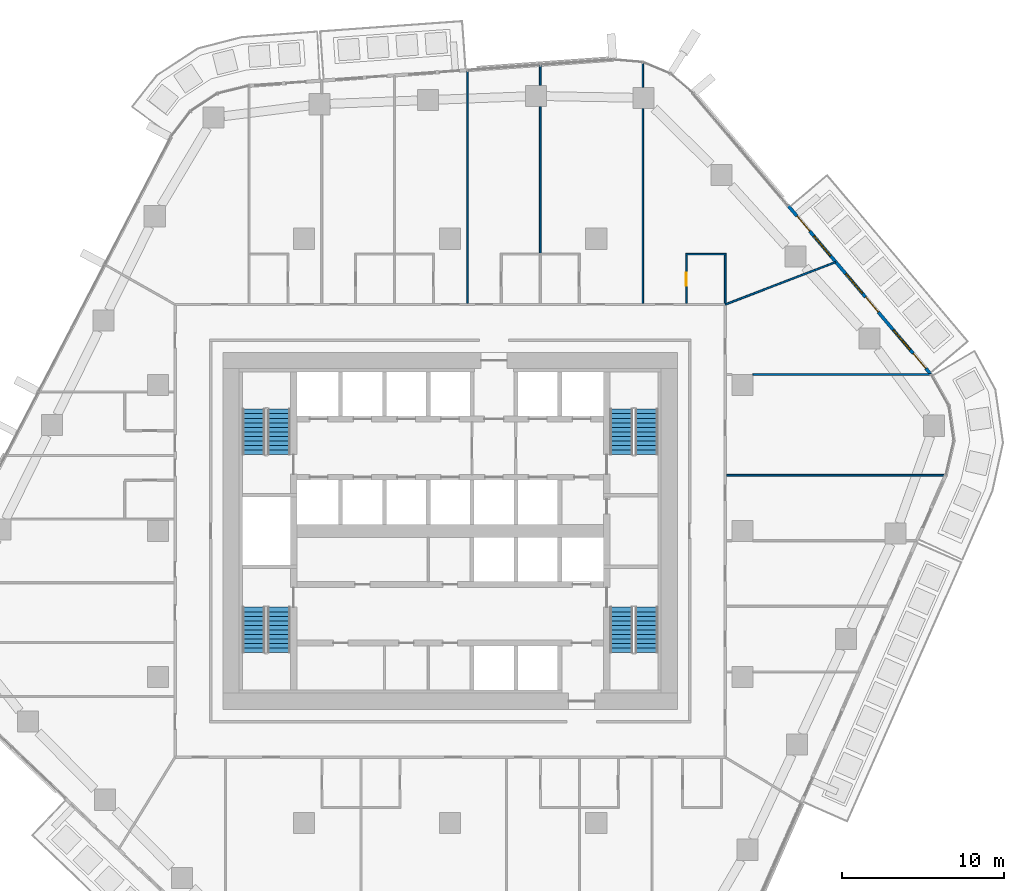
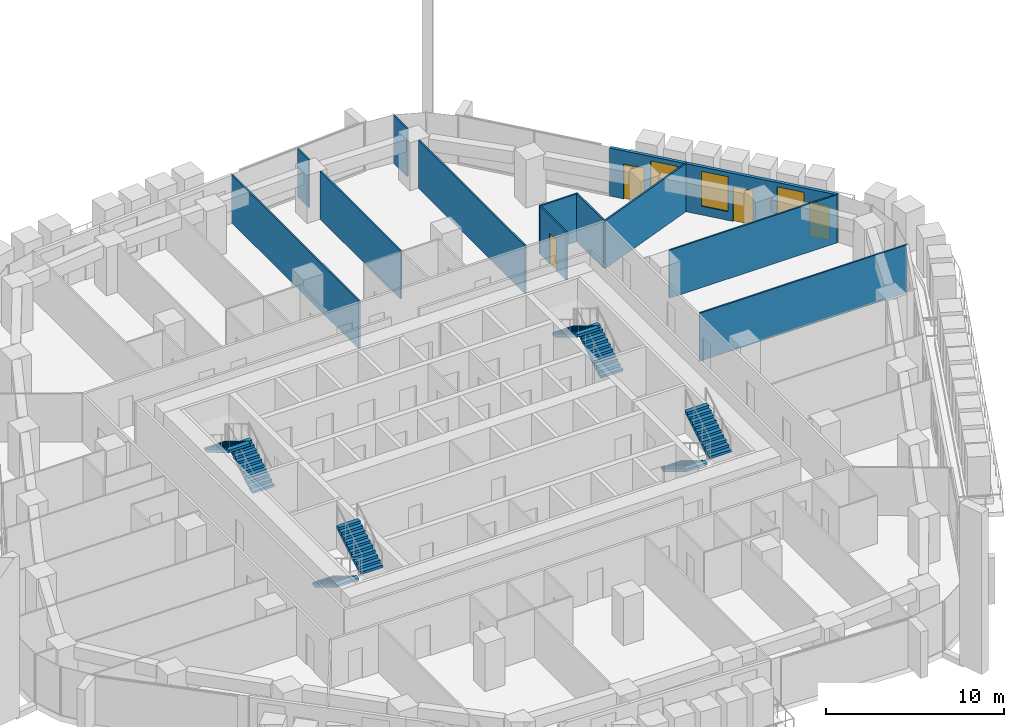
# One storey, part 17 of 24: 12 walls, 8 stair flights, 4 doors, 3 windows, 7 openings, 4 elements without a shape of their own.
"""IFC4 building model written with IfcOpenShell, lengths in metres."""

from ifc_helpers import new_model, si_unit, direction, frame, frame_2d, origin, place, context, subcontext, project, spatial, polyline, rectangle, outline, extrude, material, layer, layer_set, type_object, element, fill, aggregate, save


model = new_model("IFC4")

# Units and contexts
model_context = context("Model", 3, precision=1e-05, world=origin(), true_north=direction((0.0, 1.0)))
body_context = subcontext(model_context, "Body", "Model", "MODEL_VIEW")
ifc_project = project(units=[si_unit("LENGTHUNIT", "METRE"), si_unit("AREAUNIT", "SQUARE_METRE"), si_unit("VOLUMEUNIT", "CUBIC_METRE"), si_unit("PLANEANGLEUNIT", "RADIAN"), si_unit("MASSUNIT", "GRAM", prefix="KILO")], contexts=[model_context])

# Site, building, storey
site_placement = place(None, origin())
site = spatial("IfcSite", under=ifc_project, at=site_placement, CompositionType="ELEMENT")
building_placement = place(site_placement, origin())
building = spatial("IfcBuilding", under=site, at=building_placement, Name="Dongbaek Canopy Tower", CompositionType="ELEMENT")
storey_placement = place(building_placement, frame((0.0, 0.0, 106.300048828125)))
storey = spatial("IfcBuildingStorey", under=building, at=storey_placement, Name="L22", CompositionType="ELEMENT", Elevation=106.300048828125)

# Walls
ifc_material_1 = material(Name="Gypsum board partition, steel stud, 2 x 12.5 mm board", Category="steel")
ifc_layer_1 = layer(ifc_material_1, 0.10009765625)
ifc_layer_set_1 = layer_set([ifc_layer_1], Name="Partition 100 gypsum board")
wall_type_1 = type_object("IfcWallType", Name="Partition 100 gypsum board", PredefinedType="PARTITIONING", material=ifc_layer_set_1)
wall_1_placement = place(storey_placement, frame((17.02490234375, 3.428955078125, 0.0), z_axis=(0.0, 0.0, 1.0), x_axis=(1.0, 0.0, 0.0)))
element("IfcWall", 1, at=wall_1_placement, inside=storey, type_object=wall_type_1, Name="Partition", PredefinedType="PARTITIONING", context=body_context, shape_type="SweptSolid", body=[
    extrude(rectangle(XDim=13.477294921875, YDim=0.10009765625, at=frame_2d((6.73876953125, 0.0))), origin(), (0.0, 0.0, 1.0), 3.300048828125),
])
wall_2_placement = place(storey_placement, frame((18.64990234375, 9.635986328125, 0.0), z_axis=(0.0, 0.0, 1.0), x_axis=(1.0, 0.0, 0.0)))
element("IfcWall", 2, at=wall_2_placement, inside=storey, type_object=wall_type_1, Name="Partition", PredefinedType="PARTITIONING", context=body_context, shape_type="SweptSolid", body=[
    extrude(rectangle(XDim=10.9501953125, YDim=0.10009765625, at=frame_2d((5.47509765625, 0.0))), origin(), (0.0, 0.0, 1.0), 3.300048828125),
])
wall_3_placement = place(storey_placement, frame((14.5, 17.050048828125, 0.0), z_axis=(0.0, 0.0, 1.0), x_axis=(1.0, 0.0, 0.0)))
element("IfcWall", 3, at=wall_3_placement, inside=storey, type_object=wall_type_1, Name="Partition", PredefinedType="PARTITIONING", context=body_context, shape_type="SweptSolid", body=[
    extrude(rectangle(XDim=2.5, YDim=0.10009765625, at=frame_2d((1.25, 0.0))), origin(), (0.0, 0.0, 1.0), 3.300048828125),
])
wall_4_placement = place(storey_placement, frame((16.949951171875, 13.9501953125, 0.0), z_axis=(0.0, 0.0, 1.0), x_axis=(0.933635037811, 0.358225649796, 0.0)))
element("IfcWall", 4, at=wall_4_placement, inside=storey, type_object=wall_type_1, Name="Partition", PredefinedType="PARTITIONING", context=body_context, shape_type="SweptSolid", body=[
    extrude(rectangle(XDim=7.275390625, YDim=0.10009765625, at=frame_2d((3.6376953125, 0.0))), origin(), (0.0, 0.0, 1.0), 3.300048828125),
])
wall_5_placement = place(storey_placement, frame((16.949951171875, 14.02490234375, 0.0), z_axis=(0.0, 0.0, 1.0), x_axis=(0.0, 1.0, 0.0)))
element("IfcWall", 5, at=wall_5_placement, inside=storey, type_object=wall_type_1, Name="Partition", PredefinedType="PARTITIONING", context=body_context, shape_type="SweptSolid", body=[
    extrude(rectangle(XDim=2.97509765625, YDim=0.10009765625, at=frame_2d((1.487548828125, 0.0))), origin(), (0.0, 0.0, 1.0), 3.300048828125),
])

# Wall, opening, door
wall_6_placement = place(storey_placement, frame((14.550048828125, 17.0, 0.0), z_axis=(0.0, 0.0, 1.0), x_axis=(0.0, -1.0, 0.0)))
wall_6 = element("IfcWall", 6, at=wall_6_placement, inside=storey, type_object=wall_type_1, Name="Partition", PredefinedType="PARTITIONING", context=body_context, shape_type="SweptSolid", body=[
    extrude(rectangle(XDim=2.97509765625, YDim=0.10009765625, at=frame_2d((1.487548828125, 0.0))), origin(), (0.0, 0.0, 1.0), 3.300048828125),
])
opening_1_placement = place(wall_6_placement, frame((1.10009765625, 0.0, 0.0)))
opening_1 = element("IfcOpeningElement", 7, at=opening_1_placement, cuts=wall_6, Name="Opening L22-D021", PredefinedType="OPENING", context=body_context, shape_type="SweptSolid", body=[
    extrude(rectangle(XDim=0.800048828125, YDim=2.10009765625, at=frame_2d((0.39990234375, 1.050048828125))), frame((0.0, 0.06005859375, 0.0), z_axis=(0.0, -1.0, 0.0), x_axis=(1.0, 0.0, 0.0)), (0.0, 0.0, 1.0), 0.1201171875),
])
ifc_material_2 = material(Name="Timber veneered door leaf", Category="wood")
door_type_1 = type_object("IfcDoorType", Name="En-suite door 800 x 2100", OperationType="SINGLE_SWING_LEFT", PredefinedType="DOOR", material=ifc_material_2)
door_1_placement = place(opening_1_placement, origin())
door_1 = element("IfcDoor", 8, at=door_1_placement, inside=storey, type_object=door_type_1, Name="Door L22-D021", OperationType="SINGLE_SWING_LEFT", OverallHeight=2.10009765625, OverallWidth=0.800048828125, PredefinedType="DOOR", context=body_context, shape_type="SweptSolid", body=[
    extrude(rectangle(XDim=0.800048828125, YDim=2.10009765625, at=frame_2d((0.39990234375, 1.050048828125))), frame((0.0, 0.02490234375, 0.0), z_axis=(0.0, -1.0, 0.0), x_axis=(1.0, 0.0, 0.0)), (0.0, 0.0, 1.0), 0.050048828125),
])
fill(opening_1, door_1)

# Walls
wall_7_placement = place(storey_placement, frame((11.8701171875, 14.02490234375, 0.0), z_axis=(0.0, 0.0, 1.0), x_axis=(0.0, 1.0, 0.0)))
element("IfcWall", 9, at=wall_7_placement, inside=storey, type_object=wall_type_1, Name="Partition", PredefinedType="PARTITIONING", context=body_context, shape_type="SweptSolid", body=[
    extrude(rectangle(XDim=11.9990234375, YDim=0.10009765625, at=frame_2d((5.99951171875, 0.0))), origin(), (0.0, 0.0, 1.0), 3.300048828125),
])
wall_8_placement = place(storey_placement, frame((11.8701171875, 27.323974609375, 0.0), z_axis=(0.0, 0.0, 1.0), x_axis=(0.0, 1.0, 0.0)))
element("IfcWall", 10, at=wall_8_placement, inside=storey, type_object=wall_type_1, Name="Partition", PredefinedType="PARTITIONING", context=body_context, shape_type="SweptSolid", body=[
    extrude(rectangle(XDim=1.53125, YDim=0.10009765625, at=frame_2d((0.765625, 0.0))), origin(), (0.0, 0.0, 1.0), 3.300048828125),
])
wall_9_placement = place(storey_placement, frame((5.549072265625, 17.10009765625, 0.0), z_axis=(0.0, 0.0, 1.0), x_axis=(0.0, 1.0, 0.0)))
element("IfcWall", 11, at=wall_9_placement, inside=storey, type_object=wall_type_1, Name="Partition", PredefinedType="PARTITIONING", context=body_context, shape_type="SweptSolid", body=[
    extrude(rectangle(XDim=9.0478515625, YDim=0.10009765625, at=frame_2d((4.52392578125, 0.0))), origin(), (0.0, 0.0, 1.0), 3.300048828125),
])
wall_10_placement = place(storey_placement, frame((5.549072265625, 27.447998046875, 0.0), z_axis=(0.0, 0.0, 1.0), x_axis=(0.0, 1.0, 0.0)))
element("IfcWall", 12, at=wall_10_placement, inside=storey, type_object=wall_type_1, Name="Partition", PredefinedType="PARTITIONING", context=body_context, shape_type="SweptSolid", body=[
    extrude(rectangle(XDim=1.243408203125, YDim=0.10009765625, at=frame_2d((0.62158203125, 0.0))), origin(), (0.0, 0.0, 1.0), 3.300048828125),
])
wall_11_placement = place(storey_placement, frame((1.06298828125, 14.02490234375, 0.0), z_axis=(0.0, 0.0, 1.0), x_axis=(0.0, 1.0, 0.0)))
element("IfcWall", 13, at=wall_11_placement, inside=storey, type_object=wall_type_1, Name="Partition", PredefinedType="PARTITIONING", context=body_context, shape_type="SweptSolid", body=[
    extrude(rectangle(XDim=14.343994140625, YDim=0.10009765625, at=frame_2d((7.171875, 0.0))), origin(), (0.0, 0.0, 1.0), 3.300048828125),
])

# Wall, openings, doors, windows
ifc_material_3 = material(Name="Aluminium window wall", Category="aluminium")
ifc_layer_2 = layer(ifc_material_3, 0.199951171875)
ifc_layer_set_2 = layer_set([ifc_layer_2], Name="Window wall 200")
wall_type_2 = type_object("IfcWallType", Name="Window wall 200", PredefinedType="SOLIDWALL", material=ifc_layer_set_2)
wall_12_placement = place(storey_placement, frame((29.626220703125, 9.6357421875, 0.0), z_axis=(0.0, 0.0, 1.0), x_axis=(-0.6460547702, 0.763291054514, 0.0)))
wall_12 = element("IfcWall", 14, at=wall_12_placement, inside=storey, type_object=wall_type_2, Name="Window wall L22 1", PredefinedType="SOLIDWALL", context=body_context, shape_type="SweptSolid", body=[
    extrude(rectangle(XDim=13.615234375, YDim=0.199951171875, at=frame_2d((6.8076171875, 0.0))), origin(), (0.0, 0.0, 1.0), 3.300048828125),
])
opening_2_placement = place(wall_12_placement, frame((2.0, 0.0, 0.60009765625)))
opening_2 = element("IfcOpeningElement", 15, at=opening_2_placement, cuts=wall_12, Name="Opening W1", PredefinedType="OPENING", context=body_context, shape_type="SweptSolid", body=[
    extrude(rectangle(XDim=1.60009765625, YDim=2.39990234375, at=frame_2d((0.800048828125, 1.199951171875))), frame((0.0, 0.10986328125, 0.0), z_axis=(0.0, -1.0, 0.0), x_axis=(1.0, 0.0, 0.0)), (0.0, 0.0, 1.0), 0.219970703125),
])
opening_3_placement = place(wall_12_placement, frame((0.5, 0.0, 0.0)))
opening_3 = element("IfcOpeningElement", 16, at=opening_3_placement, cuts=wall_12, Name="Opening L22-B01", PredefinedType="OPENING", context=body_context, shape_type="SweptSolid", body=[
    extrude(rectangle(XDim=1.199951171875, YDim=2.39990234375, at=frame_2d((0.60009765625, 1.199951171875))), frame((0.0, 0.10986328125, 0.0), z_axis=(0.0, -1.0, 0.0), x_axis=(1.0, 0.0, 0.0)), (0.0, 0.0, 1.0), 0.219970703125),
])
opening_4_placement = place(wall_12_placement, frame((6.538330078125, 0.0, 0.60009765625)))
opening_4 = element("IfcOpeningElement", 17, at=opening_4_placement, cuts=wall_12, Name="Opening W1", PredefinedType="OPENING", context=body_context, shape_type="SweptSolid", body=[
    extrude(rectangle(XDim=1.60009765625, YDim=2.39990234375, at=frame_2d((0.800048828125, 1.199951171875))), frame((0.0, 0.10986328125, 0.0), z_axis=(0.0, -1.0, 0.0), x_axis=(1.0, 0.0, 0.0)), (0.0, 0.0, 1.0), 0.219970703125),
])
opening_5_placement = place(wall_12_placement, frame((5.038330078125, 0.0, 0.0)))
opening_5 = element("IfcOpeningElement", 18, at=opening_5_placement, cuts=wall_12, Name="Opening L22-B02", PredefinedType="OPENING", context=body_context, shape_type="SweptSolid", body=[
    extrude(rectangle(XDim=1.199951171875, YDim=2.39990234375, at=frame_2d((0.60009765625, 1.199951171875))), frame((0.0, 0.10986328125, 0.0), z_axis=(0.0, -1.0, 0.0), x_axis=(1.0, 0.0, 0.0)), (0.0, 0.0, 1.0), 0.219970703125),
])
opening_6_placement = place(wall_12_placement, frame((9.576904296875, 0.0, 0.60009765625)))
opening_6 = element("IfcOpeningElement", 19, at=opening_6_placement, cuts=wall_12, Name="Opening W1", PredefinedType="OPENING", context=body_context, shape_type="SweptSolid", body=[
    extrude(rectangle(XDim=1.60009765625, YDim=2.39990234375, at=frame_2d((0.800048828125, 1.199951171875))), frame((0.0, 0.10986328125, 0.0), z_axis=(0.0, -1.0, 0.0), x_axis=(1.0, 0.0, 0.0)), (0.0, 0.0, 1.0), 0.219970703125),
])
opening_7_placement = place(wall_12_placement, frame((11.576904296875, 0.0, 0.0)))
opening_7 = element("IfcOpeningElement", 20, at=opening_7_placement, cuts=wall_12, Name="Opening L22-B03", PredefinedType="OPENING", context=body_context, shape_type="SweptSolid", body=[
    extrude(rectangle(XDim=1.199951171875, YDim=2.39990234375, at=frame_2d((0.60009765625, 1.199951171875))), frame((0.0, 0.10986328125, 0.0), z_axis=(0.0, -1.0, 0.0), x_axis=(1.0, 0.0, 0.0)), (0.0, 0.0, 1.0), 0.219970703125),
])
ifc_material_4 = material(Name="Clear glazing in aluminium frame", Category="aluminium")
door_type_2 = type_object("IfcDoorType", Name="Balcony door BD1 1200 x 2400", OperationType="SLIDING_TO_LEFT", PredefinedType="DOOR", material=ifc_material_4)
door_2_placement = place(opening_3_placement, origin())
door_2 = element("IfcDoor", 21, at=door_2_placement, inside=storey, type_object=door_type_2, Name="Balcony door L22-B01", OperationType="SLIDING_TO_LEFT", OverallHeight=2.39990234375, OverallWidth=1.199951171875, PredefinedType="DOOR", context=body_context, shape_type="SweptSolid", body=[
    extrude(rectangle(XDim=1.199951171875, YDim=2.39990234375, at=frame_2d((0.60009765625, 1.199951171875))), frame((0.0, 0.02490234375, 0.0), z_axis=(0.0, -1.0, 0.0), x_axis=(1.0, 0.0, 0.0)), (0.0, 0.0, 1.0), 0.050048828125),
])
fill(opening_3, door_2)
door_3_placement = place(opening_5_placement, origin())
door_3 = element("IfcDoor", 22, at=door_3_placement, inside=storey, type_object=door_type_2, Name="Balcony door L22-B02", OperationType="SLIDING_TO_LEFT", OverallHeight=2.39990234375, OverallWidth=1.199951171875, PredefinedType="DOOR", context=body_context, shape_type="SweptSolid", body=[
    extrude(rectangle(XDim=1.199951171875, YDim=2.39990234375, at=frame_2d((0.60009765625, 1.199951171875))), frame((0.0, 0.02490234375, 0.0), z_axis=(0.0, -1.0, 0.0), x_axis=(1.0, 0.0, 0.0)), (0.0, 0.0, 1.0), 0.050048828125),
])
fill(opening_5, door_3)
door_4_placement = place(opening_7_placement, origin())
door_4 = element("IfcDoor", 23, at=door_4_placement, inside=storey, type_object=door_type_2, Name="Balcony door L22-B03", OperationType="SLIDING_TO_LEFT", OverallHeight=2.39990234375, OverallWidth=1.199951171875, PredefinedType="DOOR", context=body_context, shape_type="SweptSolid", body=[
    extrude(rectangle(XDim=1.199951171875, YDim=2.39990234375, at=frame_2d((0.60009765625, 1.199951171875))), frame((0.0, 0.02490234375, 0.0), z_axis=(0.0, -1.0, 0.0), x_axis=(1.0, 0.0, 0.0)), (0.0, 0.0, 1.0), 0.050048828125),
])
fill(opening_7, door_4)
ifc_material_5 = material(Name="Clear glazing in aluminium frame", Category="aluminium")
window_type = type_object("IfcWindowType", Name="Window W1 1600 x 2400", PartitioningType="SINGLE_PANEL", PredefinedType="WINDOW", material=ifc_material_5)
window_1_placement = place(opening_2_placement, origin())
window_1 = element("IfcWindow", 24, at=window_1_placement, inside=storey, type_object=window_type, Name="Window L22 1.1", OverallHeight=2.39990234375, OverallWidth=1.60009765625, PartitioningType="SINGLE_PANEL", PredefinedType="WINDOW", context=body_context, shape_type="SweptSolid", body=[
    extrude(rectangle(XDim=1.60009765625, YDim=2.39990234375, at=frame_2d((0.800048828125, 1.199951171875))), frame((0.0, 0.030029296875, 0.0), z_axis=(0.0, -1.0, 0.0), x_axis=(1.0, 0.0, 0.0)), (0.0, 0.0, 1.0), 0.06005859375),
])
fill(opening_2, window_1)
window_2_placement = place(opening_4_placement, origin())
window_2 = element("IfcWindow", 25, at=window_2_placement, inside=storey, type_object=window_type, Name="Window L22 1.2", OverallHeight=2.39990234375, OverallWidth=1.60009765625, PartitioningType="SINGLE_PANEL", PredefinedType="WINDOW", context=body_context, shape_type="SweptSolid", body=[
    extrude(rectangle(XDim=1.60009765625, YDim=2.39990234375, at=frame_2d((0.800048828125, 1.199951171875))), frame((0.0, 0.030029296875, 0.0), z_axis=(0.0, -1.0, 0.0), x_axis=(1.0, 0.0, 0.0)), (0.0, 0.0, 1.0), 0.06005859375),
])
fill(opening_4, window_2)
window_3_placement = place(opening_6_placement, origin())
window_3 = element("IfcWindow", 26, at=window_3_placement, inside=storey, type_object=window_type, Name="Window L22 1.3", OverallHeight=2.39990234375, OverallWidth=1.60009765625, PartitioningType="SINGLE_PANEL", PredefinedType="WINDOW", context=body_context, shape_type="SweptSolid", body=[
    extrude(rectangle(XDim=1.60009765625, YDim=2.39990234375, at=frame_2d((0.800048828125, 1.199951171875))), frame((0.0, 0.030029296875, 0.0), z_axis=(0.0, -1.0, 0.0), x_axis=(1.0, 0.0, 0.0)), (0.0, 0.0, 1.0), 0.06005859375),
])
fill(opening_6, window_3)

# Stair, stair flights
ifc_material_6 = material(Name="Concrete C40/50", Category="concrete")
stair_type = type_object("IfcStairType", Name="Core exit stair", PredefinedType="HALF_TURN_STAIR", material=ifc_material_6)
stair_1_placement = place(storey_placement, origin())
stair_1 = element("IfcStair", 27, at=stair_1_placement, inside=storey, type_object=stair_type, Name="L22 exit stair A", PredefinedType="HALF_TURN_STAIR")
ifc_material_7 = material(Name="Concrete C40/50", Category="concrete")
ifc_layer_3 = layer(ifc_material_7, 0.14990234375)
ifc_layer_set_3 = layer_set([ifc_layer_3], Name="Core stair flight 150 waist")
stair_flight_type = type_object("IfcStairFlightType", Name="Core stair flight 150 waist", PredefinedType="STRAIGHT", material=ifc_layer_set_3)
stair_flight_1_placement = place(storey_placement, frame((12.10009765625, 4.699951171875, 0.0), z_axis=(0.0, 0.0, 1.0), x_axis=(0.0, 1.0, 0.0)))
stair_flight_1 = element("IfcStairFlight", 28, at=stair_flight_1_placement, type_object=stair_flight_type, Name="ST-A flight 1", NumberOfRisers=11, NumberOfTreads=10, PredefinedType="STRAIGHT", RiserHeight=0.168181818, TreadLength=0.28, context=body_context, shape_type="SweptSolid", body=[
    extrude(outline(polyline([(0.0, 0.0), (0.0, 0.168212890625), (0.280029296875, 0.168212890625), (0.280029296875, 0.33642578125), (0.56005859375, 0.33642578125), (0.56005859375, 0.504638671875), (0.840087890625, 0.504638671875), (0.840087890625, 0.672607421875), (1.1201171875, 0.672607421875), (1.1201171875, 0.8408203125), (1.39990234375, 0.8408203125), (1.39990234375, 1.009033203125), (1.679931640625, 1.009033203125), (1.679931640625, 1.17724609375), (1.9599609375, 1.17724609375), (1.9599609375, 1.345458984375), (2.239990234375, 1.345458984375), (2.239990234375, 1.513671875), (2.52001953125, 1.513671875), (2.52001953125, 1.681884765625), (2.800048828125, 1.681884765625), (2.800048828125, 1.85009765625), (2.800048828125, 1.5068359375), (0.291015625, 0.0), (0.0, 0.0)])), frame((0.0, 0.699951171875, 0.0), z_axis=(0.0, -1.0, 0.0), x_axis=(1.0, 0.0, 0.0)), (0.0, 0.0, 1.0), 1.39990234375),
])
stair_flight_2_placement = place(storey_placement, frame((10.550048828125, 7.5, 1.849853515625), z_axis=(0.0, 0.0, 1.0), x_axis=(0.0, -1.0, 0.0)))
stair_flight_2 = element("IfcStairFlight", 29, at=stair_flight_2_placement, type_object=stair_flight_type, Name="ST-A flight 2", NumberOfRisers=11, NumberOfTreads=10, PredefinedType="STRAIGHT", RiserHeight=0.168181818, TreadLength=0.28, context=body_context, shape_type="SweptSolid", body=[
    extrude(outline(polyline([(0.0, 0.0), (0.0, 0.168212890625), (0.280029296875, 0.168212890625), (0.280029296875, 0.33642578125), (0.56005859375, 0.33642578125), (0.56005859375, 0.504638671875), (0.840087890625, 0.504638671875), (0.840087890625, 0.672607421875), (1.1201171875, 0.672607421875), (1.1201171875, 0.8408203125), (1.39990234375, 0.8408203125), (1.39990234375, 1.009033203125), (1.679931640625, 1.009033203125), (1.679931640625, 1.17724609375), (1.9599609375, 1.17724609375), (1.9599609375, 1.345458984375), (2.239990234375, 1.345458984375), (2.239990234375, 1.513671875), (2.52001953125, 1.513671875), (2.52001953125, 1.681884765625), (2.800048828125, 1.681884765625), (2.800048828125, 1.85009765625), (2.800048828125, 1.5068359375), (0.291015625, 0.0), (0.0, 0.0)])), frame((0.0, 0.699951171875, 0.0), z_axis=(0.0, -1.0, 0.0), x_axis=(1.0, 0.0, 0.0)), (0.0, 0.0, 1.0), 1.39990234375),
])
aggregate(stair_1, [stair_flight_1, stair_flight_2])

stair_2_placement = place(storey_placement, origin())
stair_2 = element("IfcStair", 30, at=stair_2_placement, inside=storey, type_object=stair_type, Name="L22 exit stair C", PredefinedType="HALF_TURN_STAIR")
stair_flight_3_placement = place(storey_placement, frame((-10.550048828125, 4.699951171875, 0.0), z_axis=(0.0, 0.0, 1.0), x_axis=(0.0, 1.0, 0.0)))
stair_flight_3 = element("IfcStairFlight", 31, at=stair_flight_3_placement, type_object=stair_flight_type, Name="ST-C flight 1", NumberOfRisers=11, NumberOfTreads=10, PredefinedType="STRAIGHT", RiserHeight=0.168181818, TreadLength=0.28, context=body_context, shape_type="SweptSolid", body=[
    extrude(outline(polyline([(0.0, 0.0), (0.0, 0.168212890625), (0.280029296875, 0.168212890625), (0.280029296875, 0.33642578125), (0.56005859375, 0.33642578125), (0.56005859375, 0.504638671875), (0.840087890625, 0.504638671875), (0.840087890625, 0.672607421875), (1.1201171875, 0.672607421875), (1.1201171875, 0.8408203125), (1.39990234375, 0.8408203125), (1.39990234375, 1.009033203125), (1.679931640625, 1.009033203125), (1.679931640625, 1.17724609375), (1.9599609375, 1.17724609375), (1.9599609375, 1.345458984375), (2.239990234375, 1.345458984375), (2.239990234375, 1.513671875), (2.52001953125, 1.513671875), (2.52001953125, 1.681884765625), (2.800048828125, 1.681884765625), (2.800048828125, 1.85009765625), (2.800048828125, 1.5068359375), (0.291015625, 0.0), (0.0, 0.0)])), frame((0.0, 0.699951171875, 0.0), z_axis=(0.0, -1.0, 0.0), x_axis=(1.0, 0.0, 0.0)), (0.0, 0.0, 1.0), 1.39990234375),
])
stair_flight_4_placement = place(storey_placement, frame((-12.10009765625, 7.5, 1.849853515625), z_axis=(0.0, 0.0, 1.0), x_axis=(0.0, -1.0, 0.0)))
stair_flight_4 = element("IfcStairFlight", 32, at=stair_flight_4_placement, type_object=stair_flight_type, Name="ST-C flight 2", NumberOfRisers=11, NumberOfTreads=10, PredefinedType="STRAIGHT", RiserHeight=0.168181818, TreadLength=0.28, context=body_context, shape_type="SweptSolid", body=[
    extrude(outline(polyline([(0.0, 0.0), (0.0, 0.168212890625), (0.280029296875, 0.168212890625), (0.280029296875, 0.33642578125), (0.56005859375, 0.33642578125), (0.56005859375, 0.504638671875), (0.840087890625, 0.504638671875), (0.840087890625, 0.672607421875), (1.1201171875, 0.672607421875), (1.1201171875, 0.8408203125), (1.39990234375, 0.8408203125), (1.39990234375, 1.009033203125), (1.679931640625, 1.009033203125), (1.679931640625, 1.17724609375), (1.9599609375, 1.17724609375), (1.9599609375, 1.345458984375), (2.239990234375, 1.345458984375), (2.239990234375, 1.513671875), (2.52001953125, 1.513671875), (2.52001953125, 1.681884765625), (2.800048828125, 1.681884765625), (2.800048828125, 1.85009765625), (2.800048828125, 1.5068359375), (0.291015625, 0.0), (0.0, 0.0)])), frame((0.0, 0.699951171875, 0.0), z_axis=(0.0, -1.0, 0.0), x_axis=(1.0, 0.0, 0.0)), (0.0, 0.0, 1.0), 1.39990234375),
])
aggregate(stair_2, [stair_flight_3, stair_flight_4])

stair_3_placement = place(storey_placement, origin())
stair_3 = element("IfcStair", 33, at=stair_3_placement, inside=storey, type_object=stair_type, Name="L22 exit stair B", PredefinedType="HALF_TURN_STAIR")
stair_flight_5_placement = place(storey_placement, frame((10.550048828125, -4.699951171875, 0.0), z_axis=(0.0, 0.0, 1.0), x_axis=(0.0, -1.0, 0.0)))
stair_flight_5 = element("IfcStairFlight", 34, at=stair_flight_5_placement, type_object=stair_flight_type, Name="ST-B flight 1", NumberOfRisers=11, NumberOfTreads=10, PredefinedType="STRAIGHT", RiserHeight=0.168181818, TreadLength=0.28, context=body_context, shape_type="SweptSolid", body=[
    extrude(outline(polyline([(0.0, 0.0), (0.0, 0.168212890625), (0.280029296875, 0.168212890625), (0.280029296875, 0.33642578125), (0.56005859375, 0.33642578125), (0.56005859375, 0.504638671875), (0.840087890625, 0.504638671875), (0.840087890625, 0.672607421875), (1.1201171875, 0.672607421875), (1.1201171875, 0.8408203125), (1.39990234375, 0.8408203125), (1.39990234375, 1.009033203125), (1.679931640625, 1.009033203125), (1.679931640625, 1.17724609375), (1.9599609375, 1.17724609375), (1.9599609375, 1.345458984375), (2.239990234375, 1.345458984375), (2.239990234375, 1.513671875), (2.52001953125, 1.513671875), (2.52001953125, 1.681884765625), (2.800048828125, 1.681884765625), (2.800048828125, 1.85009765625), (2.800048828125, 1.5068359375), (0.291015625, 0.0), (0.0, 0.0)])), frame((0.0, 0.699951171875, 0.0), z_axis=(0.0, -1.0, 0.0), x_axis=(1.0, 0.0, 0.0)), (0.0, 0.0, 1.0), 1.39990234375),
])
stair_flight_6_placement = place(storey_placement, frame((12.10009765625, -7.5, 1.849853515625), z_axis=(0.0, 0.0, 1.0), x_axis=(0.0, 1.0, 0.0)))
stair_flight_6 = element("IfcStairFlight", 35, at=stair_flight_6_placement, type_object=stair_flight_type, Name="ST-B flight 2", NumberOfRisers=11, NumberOfTreads=10, PredefinedType="STRAIGHT", RiserHeight=0.168181818, TreadLength=0.28, context=body_context, shape_type="SweptSolid", body=[
    extrude(outline(polyline([(0.0, 0.0), (0.0, 0.168212890625), (0.280029296875, 0.168212890625), (0.280029296875, 0.33642578125), (0.56005859375, 0.33642578125), (0.56005859375, 0.504638671875), (0.840087890625, 0.504638671875), (0.840087890625, 0.672607421875), (1.1201171875, 0.672607421875), (1.1201171875, 0.8408203125), (1.39990234375, 0.8408203125), (1.39990234375, 1.009033203125), (1.679931640625, 1.009033203125), (1.679931640625, 1.17724609375), (1.9599609375, 1.17724609375), (1.9599609375, 1.345458984375), (2.239990234375, 1.345458984375), (2.239990234375, 1.513671875), (2.52001953125, 1.513671875), (2.52001953125, 1.681884765625), (2.800048828125, 1.681884765625), (2.800048828125, 1.85009765625), (2.800048828125, 1.5068359375), (0.291015625, 0.0), (0.0, 0.0)])), frame((0.0, 0.699951171875, 0.0), z_axis=(0.0, -1.0, 0.0), x_axis=(1.0, 0.0, 0.0)), (0.0, 0.0, 1.0), 1.39990234375),
])
aggregate(stair_3, [stair_flight_5, stair_flight_6])

stair_4_placement = place(storey_placement, origin())
stair_4 = element("IfcStair", 36, at=stair_4_placement, inside=storey, type_object=stair_type, Name="L22 exit stair D", PredefinedType="HALF_TURN_STAIR")
stair_flight_7_placement = place(storey_placement, frame((-12.10009765625, -4.699951171875, 0.0), z_axis=(0.0, 0.0, 1.0), x_axis=(0.0, -1.0, 0.0)))
stair_flight_7 = element("IfcStairFlight", 37, at=stair_flight_7_placement, type_object=stair_flight_type, Name="ST-D flight 1", NumberOfRisers=11, NumberOfTreads=10, PredefinedType="STRAIGHT", RiserHeight=0.168181818, TreadLength=0.28, context=body_context, shape_type="SweptSolid", body=[
    extrude(outline(polyline([(0.0, 0.0), (0.0, 0.168212890625), (0.280029296875, 0.168212890625), (0.280029296875, 0.33642578125), (0.56005859375, 0.33642578125), (0.56005859375, 0.504638671875), (0.840087890625, 0.504638671875), (0.840087890625, 0.672607421875), (1.1201171875, 0.672607421875), (1.1201171875, 0.8408203125), (1.39990234375, 0.8408203125), (1.39990234375, 1.009033203125), (1.679931640625, 1.009033203125), (1.679931640625, 1.17724609375), (1.9599609375, 1.17724609375), (1.9599609375, 1.345458984375), (2.239990234375, 1.345458984375), (2.239990234375, 1.513671875), (2.52001953125, 1.513671875), (2.52001953125, 1.681884765625), (2.800048828125, 1.681884765625), (2.800048828125, 1.85009765625), (2.800048828125, 1.5068359375), (0.291015625, 0.0), (0.0, 0.0)])), frame((0.0, 0.699951171875, 0.0), z_axis=(0.0, -1.0, 0.0), x_axis=(1.0, 0.0, 0.0)), (0.0, 0.0, 1.0), 1.39990234375),
])
stair_flight_8_placement = place(storey_placement, frame((-10.550048828125, -7.5, 1.849853515625), z_axis=(0.0, 0.0, 1.0), x_axis=(0.0, 1.0, 0.0)))
stair_flight_8 = element("IfcStairFlight", 38, at=stair_flight_8_placement, type_object=stair_flight_type, Name="ST-D flight 2", NumberOfRisers=11, NumberOfTreads=10, PredefinedType="STRAIGHT", RiserHeight=0.168181818, TreadLength=0.28, context=body_context, shape_type="SweptSolid", body=[
    extrude(outline(polyline([(0.0, 0.0), (0.0, 0.168212890625), (0.280029296875, 0.168212890625), (0.280029296875, 0.33642578125), (0.56005859375, 0.33642578125), (0.56005859375, 0.504638671875), (0.840087890625, 0.504638671875), (0.840087890625, 0.672607421875), (1.1201171875, 0.672607421875), (1.1201171875, 0.8408203125), (1.39990234375, 0.8408203125), (1.39990234375, 1.009033203125), (1.679931640625, 1.009033203125), (1.679931640625, 1.17724609375), (1.9599609375, 1.17724609375), (1.9599609375, 1.345458984375), (2.239990234375, 1.345458984375), (2.239990234375, 1.513671875), (2.52001953125, 1.513671875), (2.52001953125, 1.681884765625), (2.800048828125, 1.681884765625), (2.800048828125, 1.85009765625), (2.800048828125, 1.5068359375), (0.291015625, 0.0), (0.0, 0.0)])), frame((0.0, 0.699951171875, 0.0), z_axis=(0.0, -1.0, 0.0), x_axis=(1.0, 0.0, 0.0)), (0.0, 0.0, 1.0), 1.39990234375),
])
aggregate(stair_4, [stair_flight_7, stair_flight_8])

save(model, "model.ifc")
